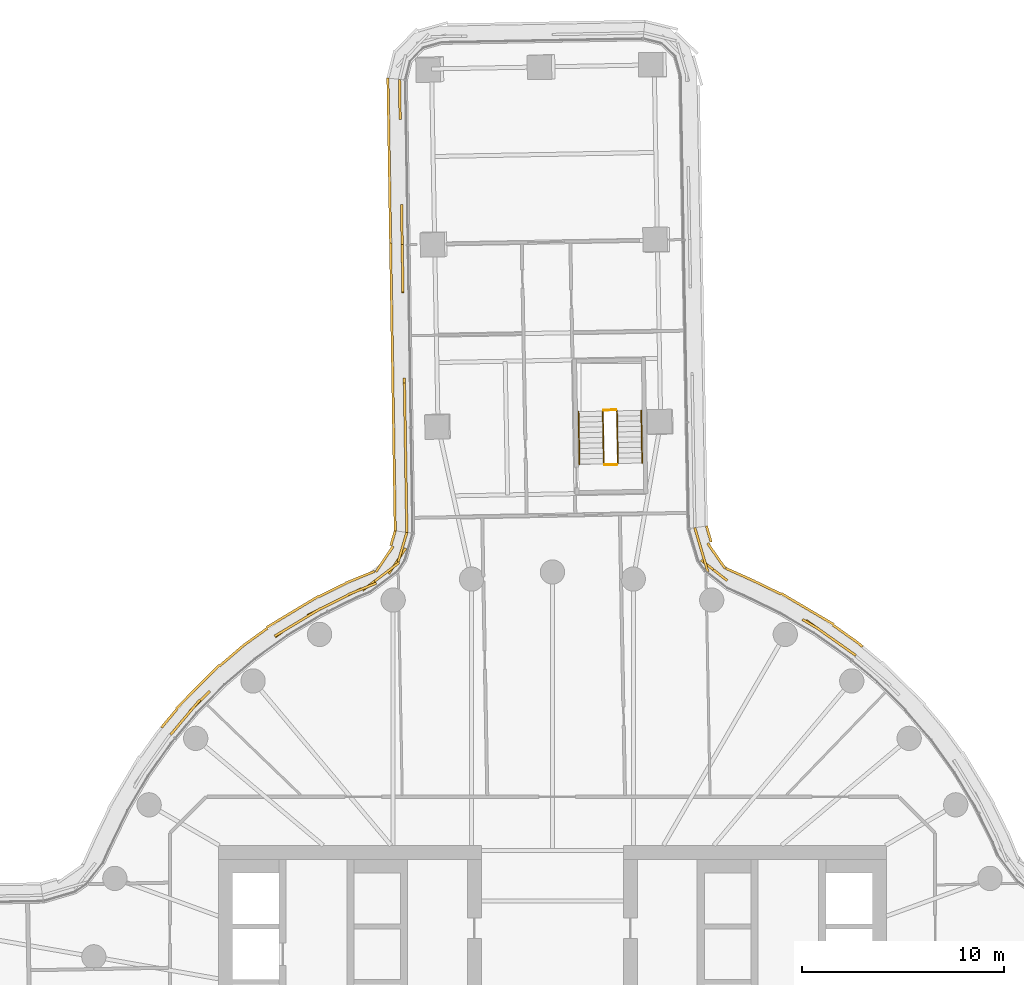
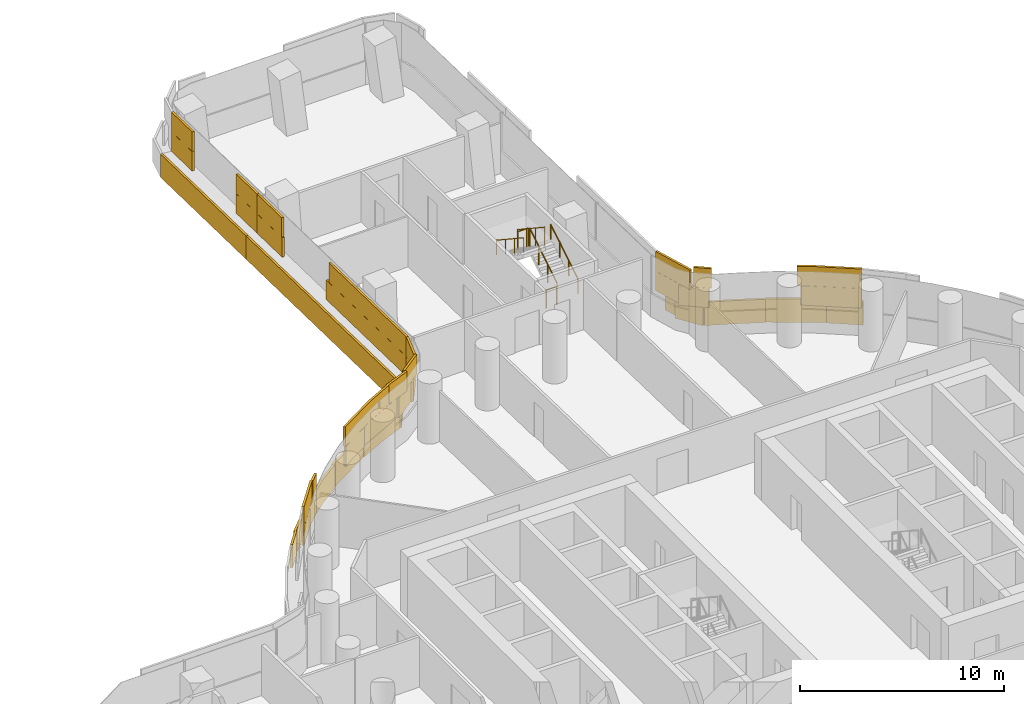
# One storey, part 30 of 31: 6 railings, 4 coverings.
"""IFC4 building model written with IfcOpenShell, lengths in metres."""

from ifc_helpers import new_model, si_unit, direction, frame, origin, origin_2d, place, context, subcontext, project, spatial, rectangle, circle, extrude, material, layer, layer_set, type_object, element, save


model = new_model("IFC4")

# Units and contexts
model_context = context("Model", 3, precision=1e-05, world=origin(), true_north=direction((0.0, 1.0)))
body_context = subcontext(model_context, "Body", "Model", "MODEL_VIEW")
ifc_project = project(units=[si_unit("LENGTHUNIT", "METRE"), si_unit("AREAUNIT", "SQUARE_METRE"), si_unit("VOLUMEUNIT", "CUBIC_METRE"), si_unit("PLANEANGLEUNIT", "RADIAN"), si_unit("MASSUNIT", "GRAM", prefix="KILO")], contexts=[model_context])

# Site, building, storey
site_placement = place(None, origin())
site = spatial("IfcSite", under=ifc_project, at=site_placement, CompositionType="ELEMENT")
building_placement = place(site_placement, origin())
building = spatial("IfcBuilding", under=site, at=building_placement, Name="Tamarind Cross Interchange Tower", CompositionType="ELEMENT")
storey_placement = place(building_placement, frame((0.0, 0.0, 37.75)))
storey = spatial("IfcBuildingStorey", under=building, at=storey_placement, Name="L07", CompositionType="ELEMENT", Elevation=37.75)

# Railings
ifc_material_1 = material(Name="Stair guard")
railing_type_1 = type_object("IfcRailingType", Name="Stair guard", PredefinedType="GUARDRAIL", material=ifc_material_1)
railing_1_placement = place(storey_placement, frame((3.234619140625, 28.360107421875, 0.17041015625)))
element("IfcRailing", 1, at=railing_1_placement, inside=storey, type_object=railing_type_1, Name="L07 ST4 stair guard 1", PredefinedType="GUARDRAIL", context=body_context, shape_type="SweptSolid", body=[
    extrude(circle(Radius=0.02392578125, at=origin_2d()), frame((0.0, 0.0, 1.076171875), z_axis=(-0.015234282677, 0.836157948141, 0.548277121893), x_axis=(-0.999834068334, -0.018216360749, 0.0)), (0.0, 0.0, 1.0), 3.10888671875),
    extrude(circle(Radius=0.02099609375, at=origin_2d()), origin(), (0.0, 0.0, 1.0), 1.052001953125),
    extrude(circle(Radius=0.02099609375, at=origin_2d()), frame((-0.015869140625, 0.866455078125, 0.568115234375)), (0.0, 0.0, 1.0), 1.052001953125),
    extrude(circle(Radius=0.02099609375, at=origin_2d()), frame((-0.031494140625, 1.733154296875, 1.136474609375)), (0.0, 0.0, 1.0), 1.052001953125),
    extrude(circle(Radius=0.02099609375, at=origin_2d()), frame((-0.04736328125, 2.599609375, 1.70458984375)), (0.0, 0.0, 1.0), 1.052001953125),
])
railing_2_placement = place(storey_placement, frame((3.13623046875, 31.0087890625, 1.875)))
element("IfcRailing", 2, at=railing_2_placement, inside=storey, type_object=railing_type_1, Name="L07 ST4 stair guard 2", PredefinedType="GUARDRAIL", context=body_context, shape_type="SweptSolid", body=[
    extrude(circle(Radius=0.02392578125, at=origin_2d()), frame((0.0, 0.0, 1.076171875), z_axis=(-0.999832322235, -0.018311947294, 0.0), x_axis=(0.018311947294, -0.999832322235, 0.0)), (0.0, 0.0, 1.0), 0.599853515625),
    extrude(circle(Radius=0.02099609375, at=origin_2d()), origin(), (0.0, 0.0, 1.0), 1.052001953125),
    extrude(circle(Radius=0.02099609375, at=origin_2d()), frame((-0.599853515625, -0.010986328125, 0.0)), (0.0, 0.0, 1.0), 1.052001953125),
])
railing_3_placement = place(storey_placement, frame((2.4873046875, 30.94677734375, 2.04541015625)))
element("IfcRailing", 3, at=railing_3_placement, inside=storey, type_object=railing_type_1, Name="L07 ST4 stair guard 3", PredefinedType="GUARDRAIL", context=body_context, shape_type="SweptSolid", body=[
    extrude(circle(Radius=0.02392578125, at=origin_2d()), frame((0.0, 0.0, 1.076171875), z_axis=(0.015234282677, -0.836157948141, 0.548277121893), x_axis=(0.999834068334, 0.018216360749, 0.0)), (0.0, 0.0, 1.0), 3.10888671875),
    extrude(circle(Radius=0.02099609375, at=origin_2d()), origin(), (0.0, 0.0, 1.0), 1.052001953125),
    extrude(circle(Radius=0.02099609375, at=origin_2d()), frame((0.015869140625, -0.866455078125, 0.568115234375)), (0.0, 0.0, 1.0), 1.052001953125),
    extrude(circle(Radius=0.02099609375, at=origin_2d()), frame((0.031494140625, -1.733154296875, 1.136474609375)), (0.0, 0.0, 1.0), 1.052001953125),
    extrude(circle(Radius=0.02099609375, at=origin_2d()), frame((0.04736328125, -2.599609375, 1.70458984375)), (0.0, 0.0, 1.0), 1.052001953125),
])
railing_4_placement = place(storey_placement, frame((3.185546875, 28.30908203125, 0.0)))
element("IfcRailing", 4, at=railing_4_placement, inside=storey, type_object=railing_type_1, Name="L07 ST4 stair guard 4", PredefinedType="GUARDRAIL", context=body_context, shape_type="SweptSolid", body=[
    extrude(circle(Radius=0.02392578125, at=origin_2d()), frame((0.0, 0.0, 1.076171875), z_axis=(-0.999832322235, -0.018311947294, 0.0), x_axis=(0.018311947294, -0.999832322235, 0.0)), (0.0, 0.0, 1.0), 0.599853515625),
    extrude(circle(Radius=0.02099609375, at=origin_2d()), origin(), (0.0, 0.0, 1.0), 1.052001953125),
    extrude(circle(Radius=0.02099609375, at=origin_2d()), frame((-0.599853515625, -0.010986328125, 0.0)), (0.0, 0.0, 1.0), 1.052001953125),
])
ifc_material_2 = material(Name="Stair handrail")
railing_type_2 = type_object("IfcRailingType", Name="Stair handrail", PredefinedType="HANDRAIL", material=ifc_material_2)
railing_5_placement = place(storey_placement, frame((4.434326171875, 28.3818359375, 0.17041015625)))
element("IfcRailing", 5, at=railing_5_placement, inside=storey, type_object=railing_type_2, Name="L07 ST4 stair handrail 1", PredefinedType="HANDRAIL", context=body_context, shape_type="SweptSolid", body=[
    extrude(circle(Radius=0.02392578125, at=origin_2d()), frame((0.0, 0.0, 0.8759765625), z_axis=(-0.015234282677, 0.836157948141, 0.548277121893), x_axis=(-0.999834068334, -0.018216360749, 0.0)), (0.0, 0.0, 1.0), 3.10888671875),
    extrude(circle(Radius=0.02099609375, at=origin_2d()), origin(), (0.0, 0.0, 1.0), 0.851806640625),
    extrude(circle(Radius=0.02099609375, at=origin_2d()), frame((-0.015869140625, 0.866455078125, 0.568115234375)), (0.0, 0.0, 1.0), 0.851806640625),
    extrude(circle(Radius=0.02099609375, at=origin_2d()), frame((-0.031494140625, 1.733154296875, 1.136474609375)), (0.0, 0.0, 1.0), 0.851806640625),
    extrude(circle(Radius=0.02099609375, at=origin_2d()), frame((-0.04736328125, 2.599609375, 1.70458984375)), (0.0, 0.0, 1.0), 0.851806640625),
])
railing_6_placement = place(storey_placement, frame((1.287353515625, 30.925048828125, 2.04541015625)))
element("IfcRailing", 6, at=railing_6_placement, inside=storey, type_object=railing_type_2, Name="L07 ST4 stair handrail 2", PredefinedType="HANDRAIL", context=body_context, shape_type="SweptSolid", body=[
    extrude(circle(Radius=0.02392578125, at=origin_2d()), frame((0.0, 0.0, 0.8759765625), z_axis=(0.015312791541, -0.836156945264, 0.548276464297), x_axis=(0.999832353721, 0.018310228116, 0.0)), (0.0, 0.0, 1.0), 3.10888671875),
    extrude(circle(Radius=0.02099609375, at=origin_2d()), origin(), (0.0, 0.0, 1.0), 0.851806640625),
    extrude(circle(Radius=0.02099609375, at=origin_2d()), frame((0.015869140625, -0.866455078125, 0.568115234375)), (0.0, 0.0, 1.0), 0.851806640625),
    extrude(circle(Radius=0.02099609375, at=origin_2d()), frame((0.03173828125, -1.733154296875, 1.136474609375)), (0.0, 0.0, 1.0), 0.851806640625),
    extrude(circle(Radius=0.02099609375, at=origin_2d()), frame((0.047607421875, -2.599609375, 1.70458984375)), (0.0, 0.0, 1.0), 0.851806640625),
])

# Coverings
ifc_material_3 = material(Name="Terracotta", Category="masonry")
ifc_layer = layer(ifc_material_3, 0.1201171875)
ifc_layer_set = layer_set([ifc_layer], Name="Terracotta")
covering_type = type_object("IfcCoveringType", Name="Terracotta baguette screen unit", PredefinedType="MOLDING", material=ifc_layer_set)
covering_1_placement = place(storey_placement, origin())
element("IfcCovering", 7, at=covering_1_placement, inside=storey, type_object=covering_type, Name="SCR-L07-01-00", PredefinedType="MOLDING", context=body_context, shape_type="SweptSolid", body=[
    extrude(rectangle(XDim=0.760009765625, YDim=0.1201171875, at=origin_2d()), frame((-7.547119140625, 46.956298828125, 1.404052734375), z_axis=(0.0, 0.0, 1.0), x_axis=(0.016194126045, -0.999868866543, 0.0)), (0.0, 0.0, 1.0), 1.1669921875),
    extrude(rectangle(XDim=1.236083984375, YDim=0.1201171875, at=origin_2d()), frame((-7.531005859375, 45.968505859375, 1.404052734375), z_axis=(0.0, 0.0, 1.0), x_axis=(0.016194126045, -0.999868866543, 0.0)), (0.0, 0.0, 1.0), 1.1669921875),
    extrude(rectangle(XDim=0.583984375, YDim=0.1201171875, at=origin_2d()), frame((-7.448486328125, 40.869140625, 1.404052734375), z_axis=(0.0, 0.0, 1.0), x_axis=(0.016194126045, -0.999868866543, 0.0)), (0.0, 0.0, 1.0), 1.1669921875),
    extrude(rectangle(XDim=1.412109375, YDim=0.1201171875, at=origin_2d()), frame((-7.432373046875, 39.881103515625, 1.404052734375), z_axis=(0.0, 0.0, 1.0), x_axis=(0.016194126045, -0.999868866543, 0.0)), (0.0, 0.0, 1.0), 1.1669921875),
    extrude(rectangle(XDim=1.510009765625, YDim=0.1201171875, at=origin_2d()), frame((-7.541015625, 46.581298828125, 2.5791015625), z_axis=(0.0, 0.0, 1.0), x_axis=(0.016194126045, -0.999868866543, 0.0)), (0.0, 0.0, 1.0), 1.1669921875),
    extrude(rectangle(XDim=0.486083984375, YDim=0.1201171875, at=origin_2d()), frame((-7.52490234375, 45.593505859375, 2.5791015625), z_axis=(0.0, 0.0, 1.0), x_axis=(0.016194126045, -0.999868866543, 0.0)), (0.0, 0.0, 1.0), 1.1669921875),
    extrude(rectangle(XDim=1.333984375, YDim=0.1201171875, at=origin_2d()), frame((-7.4423828125, 40.494140625, 2.5791015625), z_axis=(0.0, 0.0, 1.0), x_axis=(0.016194126045, -0.999868866543, 0.0)), (0.0, 0.0, 1.0), 1.1669921875),
    extrude(rectangle(XDim=0.662109375, YDim=0.1201171875, at=origin_2d()), frame((-7.42626953125, 39.50634765625, 2.5791015625), z_axis=(0.0, 0.0, 1.0), x_axis=(0.016194126045, -0.999868866543, 0.0)), (0.0, 0.0, 1.0), 1.1669921875),
    extrude(rectangle(XDim=0.760009765625, YDim=0.1201171875, at=origin_2d()), frame((-8.1220703125, 47.01708984375, 0.00390625), z_axis=(0.0, 0.0, 1.0), x_axis=(0.016194126045, -0.999868866543, 0.0)), (0.0, 0.0, 1.0), 1.39208984375),
    extrude(rectangle(XDim=1.52001953125, YDim=0.1201171875, at=origin_2d()), frame((-8.10400390625, 45.897216796875, 0.00390625), z_axis=(0.0, 0.0, 1.0), x_axis=(0.016194126045, -0.999868866543, 0.0)), (0.0, 0.0, 1.0), 1.39208984375),
    extrude(rectangle(XDim=1.52001953125, YDim=0.1201171875, at=origin_2d()), frame((-8.07958984375, 44.3974609375, 0.00390625), z_axis=(0.0, 0.0, 1.0), x_axis=(0.016194126045, -0.999868866543, 0.0)), (0.0, 0.0, 1.0), 1.39208984375),
    extrude(rectangle(XDim=1.52001953125, YDim=0.1201171875, at=origin_2d()), frame((-8.055419921875, 42.8974609375, 0.00390625), z_axis=(0.0, 0.0, 1.0), x_axis=(0.016194126045, -0.999868866543, 0.0)), (0.0, 0.0, 1.0), 1.39208984375),
    extrude(rectangle(XDim=1.52001953125, YDim=0.1201171875, at=origin_2d()), frame((-8.031005859375, 41.397705078125, 0.00390625), z_axis=(0.0, 0.0, 1.0), x_axis=(0.016194126045, -0.999868866543, 0.0)), (0.0, 0.0, 1.0), 1.39208984375),
    extrude(rectangle(XDim=1.407470703125, YDim=0.1201171875, at=origin_2d()), frame((-8.0078125, 39.9541015625, 0.00390625), z_axis=(0.0, 0.0, 1.0), x_axis=(0.016194126045, -0.999868866543, 0.0)), (0.0, 0.0, 1.0), 1.39208984375),
])
covering_2_placement = place(storey_placement, origin())
element("IfcCovering", 8, at=covering_2_placement, inside=storey, type_object=covering_type, Name="SCR-L07-01-01", PredefinedType="MOLDING", context=body_context, shape_type="SweptSolid", body=[
    extrude(rectangle(XDim=0.10791015625, YDim=0.1201171875, at=origin_2d()), frame((-7.42041015625, 39.13134765625, 1.404052734375), z_axis=(0.0, 0.0, 1.0), x_axis=(0.016194126045, -0.999868866543, 0.0)), (0.0, 0.0, 1.0), 1.1669921875),
    extrude(rectangle(XDim=1.52001953125, YDim=0.1201171875, at=origin_2d()), frame((-7.407470703125, 38.33251953125, 1.404052734375), z_axis=(0.0, 0.0, 1.0), x_axis=(0.016194126045, -0.999868866543, 0.0)), (0.0, 0.0, 1.0), 1.1669921875),
    extrude(rectangle(XDim=0.811767578125, YDim=0.1201171875, at=origin_2d()), frame((-7.388671875, 37.181640625, 1.404052734375), z_axis=(0.0, 0.0, 1.0), x_axis=(0.016194126045, -0.999868866543, 0.0)), (0.0, 0.0, 1.0), 1.1669921875),
    extrude(rectangle(XDim=1.00830078125, YDim=0.1201171875, at=origin_2d()), frame((-7.30615234375, 32.08251953125, 1.404052734375), z_axis=(0.0, 0.0, 1.0), x_axis=(0.016194126045, -0.999868866543, 0.0)), (0.0, 0.0, 1.0), 1.1669921875),
    extrude(rectangle(XDim=1.52001953125, YDim=0.1201171875, at=origin_2d()), frame((-7.285888671875, 30.83349609375, 1.404052734375), z_axis=(0.0, 0.0, 1.0), x_axis=(0.016194126045, -0.999868866543, 0.0)), (0.0, 0.0, 1.0), 1.1669921875),
    extrude(rectangle(XDim=1.52001953125, YDim=0.1201171875, at=origin_2d()), frame((-7.26171875, 29.333740234375, 1.404052734375), z_axis=(0.0, 0.0, 1.0), x_axis=(0.016194126045, -0.999868866543, 0.0)), (0.0, 0.0, 1.0), 1.1669921875),
    extrude(rectangle(XDim=1.52001953125, YDim=0.1201171875, at=origin_2d()), frame((-7.2373046875, 27.833740234375, 1.404052734375), z_axis=(0.0, 0.0, 1.0), x_axis=(0.016194126045, -0.999868866543, 0.0)), (0.0, 0.0, 1.0), 1.1669921875),
    extrude(rectangle(XDim=1.52001953125, YDim=0.1201171875, at=origin_2d()), frame((-7.213134765625, 26.333984375, 1.404052734375), z_axis=(0.0, 0.0, 1.0), x_axis=(0.016194126045, -0.999868866543, 0.0)), (0.0, 0.0, 1.0), 1.1669921875),
    extrude(rectangle(XDim=0.63720703125, YDim=0.1201171875, at=origin_2d()), frame((-7.19580078125, 25.2705078125, 1.404052734375), z_axis=(0.0, 0.0, 1.0), x_axis=(0.016194126045, -0.999868866543, 0.0)), (0.0, 0.0, 1.0), 1.1669921875),
    extrude(rectangle(XDim=0.85791015625, YDim=0.1201171875, at=origin_2d()), frame((-7.414306640625, 38.75634765625, 2.5791015625), z_axis=(0.0, 0.0, 1.0), x_axis=(0.016194126045, -0.999868866543, 0.0)), (0.0, 0.0, 1.0), 1.1669921875),
    extrude(rectangle(XDim=1.52001953125, YDim=0.1201171875, at=origin_2d()), frame((-7.395263671875, 37.58251953125, 2.5791015625), z_axis=(0.0, 0.0, 1.0), x_axis=(0.016194126045, -0.999868866543, 0.0)), (0.0, 0.0, 1.0), 1.1669921875),
    extrude(rectangle(XDim=1.52001953125, YDim=0.1201171875, at=origin_2d()), frame((-7.298095703125, 31.583251953125, 2.5791015625), z_axis=(0.0, 0.0, 1.0), x_axis=(0.016194126045, -0.999868866543, 0.0)), (0.0, 0.0, 1.0), 1.1669921875),
    extrude(rectangle(XDim=1.52001953125, YDim=0.1201171875, at=origin_2d()), frame((-7.273681640625, 30.08349609375, 2.5791015625), z_axis=(0.0, 0.0, 1.0), x_axis=(0.016194126045, -0.999868866543, 0.0)), (0.0, 0.0, 1.0), 1.1669921875),
    extrude(rectangle(XDim=1.52001953125, YDim=0.1201171875, at=origin_2d()), frame((-7.24951171875, 28.583740234375, 2.5791015625), z_axis=(0.0, 0.0, 1.0), x_axis=(0.016194126045, -0.999868866543, 0.0)), (0.0, 0.0, 1.0), 1.1669921875),
    extrude(rectangle(XDim=1.52001953125, YDim=0.1201171875, at=origin_2d()), frame((-7.22509765625, 27.083984375, 2.5791015625), z_axis=(0.0, 0.0, 1.0), x_axis=(0.016194126045, -0.999868866543, 0.0)), (0.0, 0.0, 1.0), 1.1669921875),
    extrude(rectangle(XDim=1.38720703125, YDim=0.1201171875, at=origin_2d()), frame((-7.201904296875, 25.6455078125, 2.5791015625), z_axis=(0.0, 0.0, 1.0), x_axis=(0.016194126045, -0.999868866543, 0.0)), (0.0, 0.0, 1.0), 1.1669921875),
    extrude(rectangle(XDim=0.112548828125, YDim=0.1201171875, at=origin_2d()), frame((-7.995361328125, 39.1943359375, 0.00390625), z_axis=(0.0, 0.0, 1.0), x_axis=(0.016194126045, -0.999868866543, 0.0)), (0.0, 0.0, 1.0), 1.39208984375),
    extrude(rectangle(XDim=1.52001953125, YDim=0.1201171875, at=origin_2d()), frame((-7.982421875, 38.398193359375, 0.00390625), z_axis=(0.0, 0.0, 1.0), x_axis=(0.016194126045, -0.999868866543, 0.0)), (0.0, 0.0, 1.0), 1.39208984375),
    extrude(rectangle(XDim=1.52001953125, YDim=0.1201171875, at=origin_2d()), frame((-7.958251953125, 36.8984375, 0.00390625), z_axis=(0.0, 0.0, 1.0), x_axis=(0.016194126045, -0.999868866543, 0.0)), (0.0, 0.0, 1.0), 1.39208984375),
    extrude(rectangle(XDim=1.52001953125, YDim=0.1201171875, at=origin_2d()), frame((-7.933837890625, 35.3984375, 0.00390625), z_axis=(0.0, 0.0, 1.0), x_axis=(0.016194126045, -0.999868866543, 0.0)), (0.0, 0.0, 1.0), 1.39208984375),
    extrude(rectangle(XDim=1.52001953125, YDim=0.1201171875, at=origin_2d()), frame((-7.90966796875, 33.898681640625, 0.00390625), z_axis=(0.0, 0.0, 1.0), x_axis=(0.016194126045, -0.999868866543, 0.0)), (0.0, 0.0, 1.0), 1.39208984375),
    extrude(rectangle(XDim=1.52001953125, YDim=0.1201171875, at=origin_2d()), frame((-7.88525390625, 32.39892578125, 0.00390625), z_axis=(0.0, 0.0, 1.0), x_axis=(0.016194126045, -0.999868866543, 0.0)), (0.0, 0.0, 1.0), 1.39208984375),
    extrude(rectangle(XDim=1.52001953125, YDim=0.1201171875, at=origin_2d()), frame((-7.861083984375, 30.899169921875, 0.00390625), z_axis=(0.0, 0.0, 1.0), x_axis=(0.016194126045, -0.999868866543, 0.0)), (0.0, 0.0, 1.0), 1.39208984375),
    extrude(rectangle(XDim=1.52001953125, YDim=0.1201171875, at=origin_2d()), frame((-7.836669921875, 29.3994140625, 0.00390625), z_axis=(0.0, 0.0, 1.0), x_axis=(0.016194126045, -0.999868866543, 0.0)), (0.0, 0.0, 1.0), 1.39208984375),
    extrude(rectangle(XDim=1.52001953125, YDim=0.1201171875, at=origin_2d()), frame((-7.8125, 27.8994140625, 0.00390625), z_axis=(0.0, 0.0, 1.0), x_axis=(0.016194126045, -0.999868866543, 0.0)), (0.0, 0.0, 1.0), 1.39208984375),
    extrude(rectangle(XDim=1.52001953125, YDim=0.1201171875, at=origin_2d()), frame((-7.7880859375, 26.399658203125, 0.00390625), z_axis=(0.0, 0.0, 1.0), x_axis=(0.016194126045, -0.999868866543, 0.0)), (0.0, 0.0, 1.0), 1.39208984375),
    extrude(rectangle(XDim=0.624755859375, YDim=0.1201171875, at=origin_2d()), frame((-7.771240234375, 25.347412109375, 0.00390625), z_axis=(0.0, 0.0, 1.0), x_axis=(0.016194126045, -0.999868866543, 0.0)), (0.0, 0.0, 1.0), 1.39208984375),
])
covering_3_placement = place(storey_placement, origin())
element("IfcCovering", 9, at=covering_3_placement, inside=storey, type_object=covering_type, Name="SCR-L07-02-00", PredefinedType="MOLDING", context=body_context, shape_type="SweptSolid", body=[
    extrude(rectangle(XDim=0.760009765625, YDim=0.1201171875, at=origin_2d()), frame((-7.296630859375, 24.597412109375, 1.404052734375), z_axis=(0.0, 0.0, 1.0), x_axis=(-0.28213136714, -0.959375782306, 0.0)), (0.0, 0.0, 1.0), 1.1669921875),
    extrude(rectangle(XDim=1.52001953125, YDim=0.1201171875, at=origin_2d()), frame((-7.665771484375, 23.54248046875, 1.404052734375), z_axis=(0.0, 0.0, 1.0), x_axis=(-0.556581376202, -0.830793097988, 0.0)), (0.0, 0.0, 1.0), 1.1669921875),
    extrude(rectangle(XDim=1.52001953125, YDim=0.1201171875, at=origin_2d()), frame((-8.773193359375, 22.55322265625, 1.404052734375), z_axis=(0.0, 0.0, 1.0), x_axis=(-0.797061759273, -0.603897799222, 0.0)), (0.0, 0.0, 1.0), 1.1669921875),
    extrude(rectangle(XDim=1.52001953125, YDim=0.1201171875, at=origin_2d()), frame((-10.0908203125, 21.85693359375, 1.404052734375), z_axis=(0.0, 0.0, 1.0), x_axis=(-0.896492548518, -0.443058811505, 0.0)), (0.0, 0.0, 1.0), 1.1669921875),
    extrude(rectangle(XDim=1.52001953125, YDim=0.1201171875, at=origin_2d()), frame((-11.435546875, 21.1923828125, 1.404052734375), z_axis=(0.0, 0.0, 1.0), x_axis=(-0.896492548518, -0.443058811505, 0.0)), (0.0, 0.0, 1.0), 1.1669921875),
    extrude(rectangle(XDim=1.52001953125, YDim=0.1201171875, at=origin_2d()), frame((-12.72607421875, 20.4287109375, 1.404052734375), z_axis=(0.0, 0.0, 1.0), x_axis=(-0.856843065292, -0.515577308909, 0.0)), (0.0, 0.0, 1.0), 1.1669921875),
    extrude(rectangle(XDim=0.414794921875, YDim=0.1201171875, at=origin_2d()), frame((-13.527099609375, 19.9150390625, 1.404052734375), z_axis=(0.0, 0.0, 1.0), x_axis=(-0.811340475102, -0.584573890505, 0.0)), (0.0, 0.0, 1.0), 1.1669921875),
    extrude(rectangle(XDim=1.4052734375, YDim=0.1201171875, at=origin_2d()), frame((-17.407958984375, 16.62255859375, 1.404052734375), z_axis=(0.0, 0.0, 1.0), x_axis=(-0.704057148523, -0.710143317658, 0.0)), (0.0, 0.0, 1.0), 1.1669921875),
    extrude(rectangle(XDim=1.52001953125, YDim=0.1201171875, at=origin_2d()), frame((-18.3720703125, 15.544189453125, 1.404052734375), z_axis=(0.0, 0.0, 1.0), x_axis=(-0.643009266048, -0.765858396687, 0.0)), (0.0, 0.0, 1.0), 1.1669921875),
    extrude(rectangle(XDim=1.510009765625, YDim=0.1201171875, at=origin_2d()), frame((-7.40234375, 24.237548828125, 2.5791015625), z_axis=(0.0, 0.0, 1.0), x_axis=(-0.28213136714, -0.959375782306, 0.0)), (0.0, 0.0, 1.0), 1.1669921875),
    extrude(rectangle(XDim=1.52001953125, YDim=0.1201171875, at=origin_2d()), frame((-8.17529296875, 23.006103515625, 2.5791015625), z_axis=(0.0, 0.0, 1.0), x_axis=(-0.797061759273, -0.603897799222, 0.0)), (0.0, 0.0, 1.0), 1.1669921875),
    extrude(rectangle(XDim=1.52001953125, YDim=0.1201171875, at=origin_2d()), frame((-9.406494140625, 22.16259765625, 2.5791015625), z_axis=(0.0, 0.0, 1.0), x_axis=(-0.926915408752, -0.375270335915, 0.0)), (0.0, 0.0, 1.0), 1.1669921875),
    extrude(rectangle(XDim=1.52001953125, YDim=0.1201171875, at=origin_2d()), frame((-10.76318359375, 21.524658203125, 2.5791015625), z_axis=(0.0, 0.0, 1.0), x_axis=(-0.896492548518, -0.443058811505, 0.0)), (0.0, 0.0, 1.0), 1.1669921875),
    extrude(rectangle(XDim=1.52001953125, YDim=0.1201171875, at=origin_2d()), frame((-12.083251953125, 20.8154296875, 2.5791015625), z_axis=(0.0, 0.0, 1.0), x_axis=(-0.856843065292, -0.515577308909, 0.0)), (0.0, 0.0, 1.0), 1.1669921875),
    extrude(rectangle(XDim=1.164794921875, YDim=0.1201171875, at=origin_2d()), frame((-13.220703125, 20.131103515625, 2.5791015625), z_axis=(0.0, 0.0, 1.0), x_axis=(-0.856843065292, -0.515577308909, 0.0)), (0.0, 0.0, 1.0), 1.1669921875),
    extrude(rectangle(XDim=0.6552734375, YDim=0.1201171875, at=origin_2d()), frame((-17.14404296875, 16.888916015625, 2.5791015625), z_axis=(0.0, 0.0, 1.0), x_axis=(-0.704057148523, -0.710143317658, 0.0)), (0.0, 0.0, 1.0), 1.1669921875),
    extrude(rectangle(XDim=1.52001953125, YDim=0.1201171875, at=origin_2d()), frame((-17.889892578125, 16.11865234375, 2.5791015625), z_axis=(0.0, 0.0, 1.0), x_axis=(-0.643009266048, -0.765858396687, 0.0)), (0.0, 0.0, 1.0), 1.1669921875),
    extrude(rectangle(XDim=0.766357421875, YDim=0.1201171875, at=origin_2d()), frame((-18.615234375, 15.254638671875, 2.5791015625), z_axis=(0.0, 0.0, 1.0), x_axis=(-0.643009266048, -0.765858396687, 0.0)), (0.0, 0.0, 1.0), 1.1669921875),
    extrude(rectangle(XDim=0.760009765625, YDim=0.1201171875, at=origin_2d()), frame((-7.873291015625, 24.670654296875, 0.00390625), z_axis=(0.0, 0.0, 1.0), x_axis=(-0.28213136714, -0.959375782306, 0.0)), (0.0, 0.0, 1.0), 1.39208984375),
    extrude(rectangle(XDim=1.52001953125, YDim=0.1201171875, at=origin_2d()), frame((-8.289306640625, 23.64306640625, 0.00390625), z_axis=(0.0, 0.0, 1.0), x_axis=(-0.556581376202, -0.830793097988, 0.0)), (0.0, 0.0, 1.0), 1.39208984375),
    extrude(rectangle(XDim=1.52001953125, YDim=0.1201171875, at=origin_2d()), frame((-9.490234375, 22.748046875, 0.00390625), z_axis=(0.0, 0.0, 1.0), x_axis=(-0.926915408752, -0.375270335915, 0.0)), (0.0, 0.0, 1.0), 1.39208984375),
    extrude(rectangle(XDim=1.52001953125, YDim=0.1201171875, at=origin_2d()), frame((-10.851806640625, 22.12109375, 0.00390625), z_axis=(0.0, 0.0, 1.0), x_axis=(-0.896492548518, -0.443058811505, 0.0)), (0.0, 0.0, 1.0), 1.39208984375),
    extrude(rectangle(XDim=1.52001953125, YDim=0.1201171875, at=origin_2d()), frame((-12.180419921875, 21.427001953125, 0.00390625), z_axis=(0.0, 0.0, 1.0), x_axis=(-0.856843065292, -0.515577308909, 0.0)), (0.0, 0.0, 1.0), 1.39208984375),
    extrude(rectangle(XDim=1.52001953125, YDim=0.1201171875, at=origin_2d()), frame((-13.465576171875, 20.653564453125, 0.00390625), z_axis=(0.0, 0.0, 1.0), x_axis=(-0.856843065292, -0.515577308909, 0.0)), (0.0, 0.0, 1.0), 1.39208984375),
    extrude(rectangle(XDim=1.52001953125, YDim=0.1201171875, at=origin_2d()), frame((-14.688720703125, 19.78564453125, 0.00390625), z_axis=(0.0, 0.0, 1.0), x_axis=(-0.811340475102, -0.584573890505, 0.0)), (0.0, 0.0, 1.0), 1.39208984375),
    extrude(rectangle(XDim=1.52001953125, YDim=0.1201171875, at=origin_2d()), frame((-15.863037109375, 18.854736328125, 0.00390625), z_axis=(0.0, 0.0, 1.0), x_axis=(-0.760295606781, -0.64957723968, 0.0)), (0.0, 0.0, 1.0), 1.39208984375),
    extrude(rectangle(XDim=1.52001953125, YDim=0.1201171875, at=origin_2d()), frame((-16.987060546875, 17.862548828125, 0.00390625), z_axis=(0.0, 0.0, 1.0), x_axis=(-0.704057148523, -0.710143317658, 0.0)), (0.0, 0.0, 1.0), 1.39208984375),
    extrude(rectangle(XDim=1.52001953125, YDim=0.1201171875, at=origin_2d()), frame((-18.043212890625, 16.79736328125, 0.00390625), z_axis=(0.0, 0.0, 1.0), x_axis=(-0.704057148523, -0.710143317658, 0.0)), (0.0, 0.0, 1.0), 1.39208984375),
    extrude(rectangle(XDim=1.204345703125, YDim=0.1201171875, at=origin_2d()), frame((-18.921142578125, 15.782958984375, 0.00390625), z_axis=(0.0, 0.0, 1.0), x_axis=(-0.643009266048, -0.765858396687, 0.0)), (0.0, 0.0, 1.0), 1.39208984375),
])
covering_4_placement = place(storey_placement, origin())
element("IfcCovering", 10, at=covering_4_placement, inside=storey, type_object=covering_type, Name="SCR-L07-14-01", PredefinedType="MOLDING", context=body_context, shape_type="SweptSolid", body=[
    extrude(rectangle(XDim=1.50341796875, YDim=0.1201171875, at=origin_2d()), frame((14.371826171875, 19.311279296875, 1.404052734375), z_axis=(0.0, 0.0, 1.0), x_axis=(-0.816341886298, 0.577568978284, 0.0)), (0.0, 0.0, 1.0), 1.1669921875),
    extrude(rectangle(XDim=1.52001953125, YDim=0.1201171875, at=origin_2d()), frame((13.150146484375, 20.17578125, 1.404052734375), z_axis=(0.0, 0.0, 1.0), x_axis=(-0.816341886298, 0.577568978284, 0.0)), (0.0, 0.0, 1.0), 1.1669921875),
    extrude(rectangle(XDim=1.52001953125, YDim=0.1201171875, at=origin_2d()), frame((7.944580078125, 23.116943359375, 1.404052734375), z_axis=(0.0, 0.0, 1.0), x_axis=(-0.785580052511, 0.618760035148, 0.0)), (0.0, 0.0, 1.0), 1.1669921875),
    extrude(rectangle(XDim=1.52001953125, YDim=0.1201171875, at=origin_2d()), frame((7.261474609375, 24.4111328125, 1.404052734375), z_axis=(0.0, 0.0, 1.0), x_axis=(-0.282423184305, 0.959289917057, 0.0)), (0.0, 0.0, 1.0), 1.1669921875),
    extrude(rectangle(XDim=0.068603515625, YDim=0.1201171875, at=origin_2d()), frame((7.041259765625, 25.15869140625, 1.404052734375), z_axis=(0.0, 0.0, 1.0), x_axis=(-0.282423184305, 0.959289917057, 0.0)), (0.0, 0.0, 1.0), 1.1669921875),
    extrude(rectangle(XDim=0.75341796875, YDim=0.1201171875, at=origin_2d()), frame((14.677978515625, 19.0947265625, 2.5791015625), z_axis=(0.0, 0.0, 1.0), x_axis=(-0.816341886298, 0.577568978284, 0.0)), (0.0, 0.0, 1.0), 1.1669921875),
    extrude(rectangle(XDim=1.52001953125, YDim=0.1201171875, at=origin_2d()), frame((13.76220703125, 19.74267578125, 2.5791015625), z_axis=(0.0, 0.0, 1.0), x_axis=(-0.816341886298, 0.577568978284, 0.0)), (0.0, 0.0, 1.0), 1.1669921875),
    extrude(rectangle(XDim=0.942626953125, YDim=0.1201171875, at=origin_2d()), frame((12.751953125, 20.418212890625, 2.5791015625), z_axis=(0.0, 0.0, 1.0), x_axis=(-0.861248933065, 0.508183308752, 0.0)), (0.0, 0.0, 1.0), 1.1669921875),
    extrude(rectangle(XDim=0.87744140625, YDim=0.1201171875, at=origin_2d()), frame((8.28515625, 22.848388671875, 2.5791015625), z_axis=(0.0, 0.0, 1.0), x_axis=(-0.785580052511, 0.618760035148, 0.0)), (0.0, 0.0, 1.0), 1.1669921875),
    extrude(rectangle(XDim=1.52001953125, YDim=0.1201171875, at=origin_2d()), frame((7.473388671875, 23.691650390625, 2.5791015625), z_axis=(0.0, 0.0, 1.0), x_axis=(-0.282423184305, 0.959289917057, 0.0)), (0.0, 0.0, 1.0), 1.1669921875),
    extrude(rectangle(XDim=0.818603515625, YDim=0.1201171875, at=origin_2d()), frame((7.147216796875, 24.798828125, 2.5791015625), z_axis=(0.0, 0.0, 1.0), x_axis=(-0.282423184305, 0.959289917057, 0.0)), (0.0, 0.0, 1.0), 1.1669921875),
    extrude(rectangle(XDim=0.315673828125, YDim=0.1201171875, at=origin_2d()), frame((15.200927734375, 19.40966796875, 0.00390625), z_axis=(0.0, 0.0, 1.0), x_axis=(-0.765858396687, 0.643009266048, 0.0)), (0.0, 0.0, 1.0), 1.39208984375),
    extrude(rectangle(XDim=1.52001953125, YDim=0.1201171875, at=origin_2d()), frame((14.47705078125, 19.940185546875, 0.00390625), z_axis=(0.0, 0.0, 1.0), x_axis=(-0.816341886298, 0.577568978284, 0.0)), (0.0, 0.0, 1.0), 1.39208984375),
    extrude(rectangle(XDim=1.52001953125, YDim=0.1201171875, at=origin_2d()), frame((13.24462890625, 20.7939453125, 0.00390625), z_axis=(0.0, 0.0, 1.0), x_axis=(-0.861248933065, 0.508183308752, 0.0)), (0.0, 0.0, 1.0), 1.39208984375),
    extrude(rectangle(XDim=1.52001953125, YDim=0.1201171875, at=origin_2d()), frame((11.95263671875, 21.556396484375, 0.00390625), z_axis=(0.0, 0.0, 1.0), x_axis=(-0.861248933065, 0.508183308752, 0.0)), (0.0, 0.0, 1.0), 1.39208984375),
    extrude(rectangle(XDim=1.52001953125, YDim=0.1201171875, at=origin_2d()), frame((10.6162109375, 22.2353515625, 0.00390625), z_axis=(0.0, 0.0, 1.0), x_axis=(-0.900272776334, 0.435326231914, 0.0)), (0.0, 0.0, 1.0), 1.39208984375),
    extrude(rectangle(XDim=1.52001953125, YDim=0.1201171875, at=origin_2d()), frame((9.258056640625, 22.871826171875, 0.00390625), z_axis=(0.0, 0.0, 1.0), x_axis=(-0.912773653223, 0.408465736607, 0.0)), (0.0, 0.0, 1.0), 1.39208984375),
    extrude(rectangle(XDim=1.52001953125, YDim=0.1201171875, at=origin_2d()), frame((8.096435546875, 23.798583984375, 0.00390625), z_axis=(0.0, 0.0, 1.0), x_axis=(-0.571637679579, 0.820506162857, 0.0)), (0.0, 0.0, 1.0), 1.39208984375),
    extrude(rectangle(XDim=0.823486328125, YDim=0.1201171875, at=origin_2d()), frame((7.721923828125, 24.879638671875, 0.00390625), z_axis=(0.0, 0.0, 1.0), x_axis=(-0.282423184305, 0.959289917057, 0.0)), (0.0, 0.0, 1.0), 1.39208984375),
])

save(model, "model.ifc")
